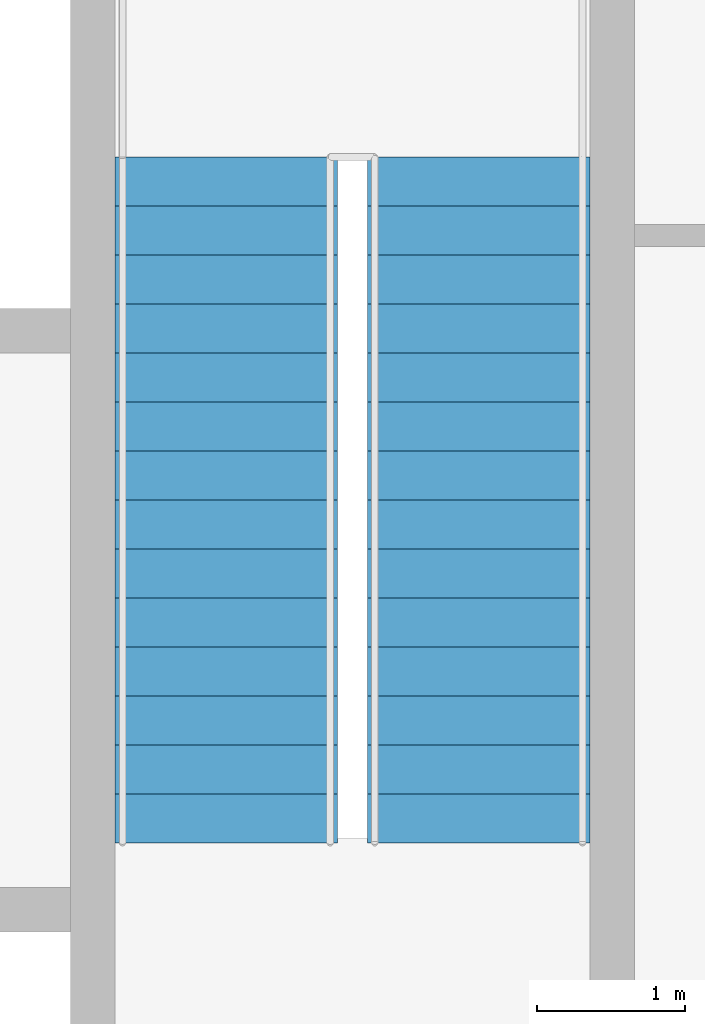
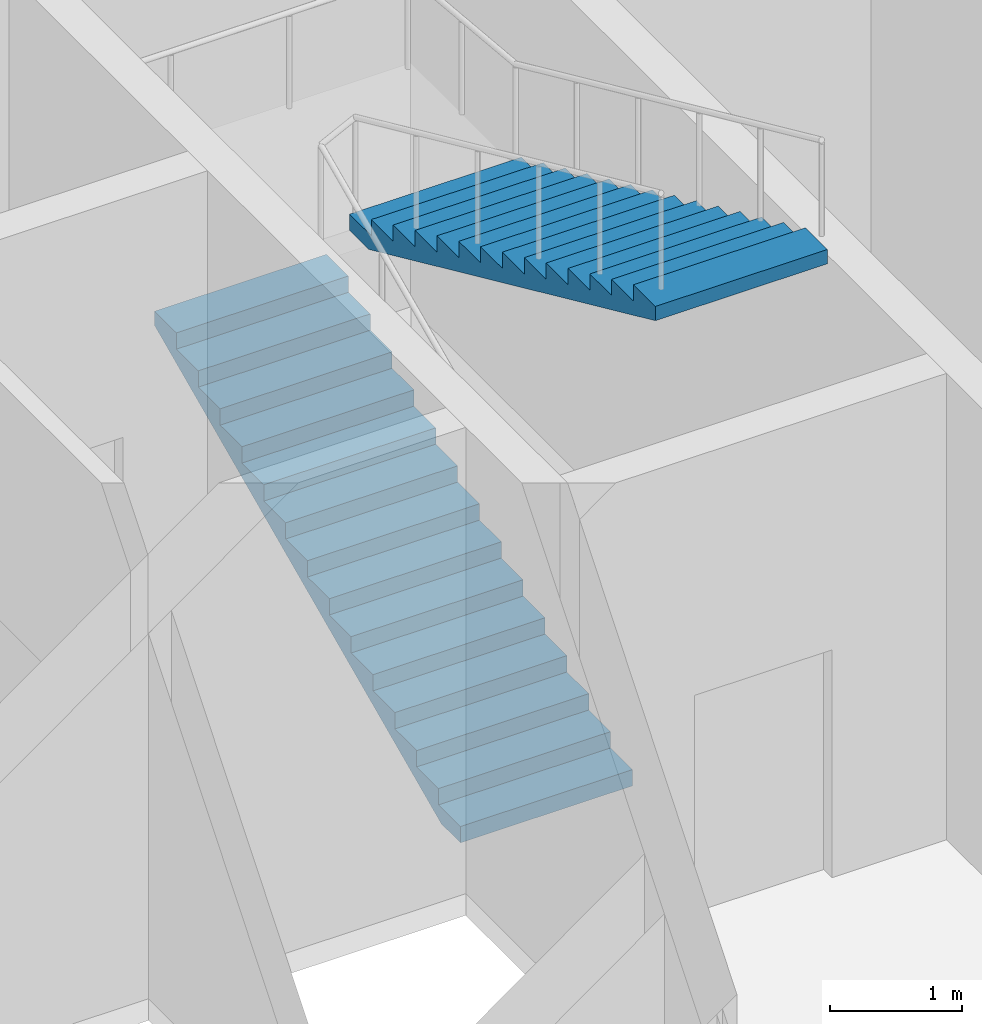
# One storey, part 9 of 10: 2 stair flights, 1 element without a shape of its own.
"""IFC4 building model written with IfcOpenShell, lengths in metres."""

from ifc_helpers import new_model, si_unit, direction, frame, origin, place, context, subcontext, project, spatial, polygons, material, type_object, element, aggregate, save


model = new_model("IFC4")

# Units and contexts
model_context = context("Model", 3, precision=1e-05, world=origin(), true_north=direction((0.0, 1.0)))
body_context = subcontext(model_context, "Body", "Model", "MODEL_VIEW")
ifc_project = project(units=[si_unit("LENGTHUNIT", "METRE"), si_unit("AREAUNIT", "SQUARE_METRE"), si_unit("VOLUMEUNIT", "CUBIC_METRE"), si_unit("PLANEANGLEUNIT", "RADIAN"), si_unit("MASSUNIT", "GRAM", prefix="KILO")], contexts=[model_context])

# Site, building, storey
site_placement = place(None, origin())
site = spatial("IfcSite", under=ifc_project, at=site_placement, CompositionType="ELEMENT")
building_placement = place(site_placement, origin())
building = spatial("IfcBuilding", under=site, at=building_placement, Name="Njiva Tower", CompositionType="ELEMENT")
storey_placement = place(building_placement, frame((0.0, 0.0, 51.3)))
storey = spatial("IfcBuildingStorey", under=building, at=storey_placement, Name="L10", CompositionType="ELEMENT", Elevation=51.3)

# Stair, stair flights
ifc_material = material(Name="Concrete C40/50", Category="concrete")
stair_type = type_object("IfcStairType", Name="ST4 Exit stair 1500", PredefinedType="HALF_TURN_STAIR", material=ifc_material)
stair_placement = place(storey_placement, origin())
stair = element("IfcStair", 1, at=stair_placement, inside=storey, type_object=stair_type, Name="Stair B", PredefinedType="HALF_TURN_STAIR")
stair_flight_type = type_object("IfcStairFlightType", Name="FL4 Stair flight 1500", PredefinedType="STRAIGHT", material=ifc_material)
stair_flight_1_placement = place(storey_placement, frame((11.75, 11.1, 0.0), z_axis=(0.0, 0.0, 1.0), x_axis=(0.0, 1.0, 0.0)))
stair_flight_1 = element("IfcStairFlight", 2, at=stair_flight_1_placement, type_object=stair_flight_type, Name="ST-B flight 1", NumberOfRisers=15, NumberOfTreads=14, PredefinedType="STRAIGHT", RiserHeight=0.15, TreadLength=0.33, context=body_context, shape_type="Tessellation", body=[
    polygons([(0.0, 0.75, 0.0), (0.0, 0.375, 0.0), (0.0, 0.0, 0.0), (0.0, -0.375, 0.0), (0.0, -0.75, 0.0), (0.0, 0.75, 0.15), (0.0, 0.375, 0.15), (0.0, 0.0, 0.15), (0.0, -0.375, 0.15), (0.0, -0.75, 0.15), (0.33, 0.75, 0.15), (0.33, 0.375, 0.15), (0.33, 0.0, 0.15), (0.33, -0.375, 0.15), (0.33, -0.75, 0.15), (0.33, 0.75, 0.3), (0.33, 0.375, 0.3), (0.33, 0.0, 0.3), (0.33, -0.375, 0.3), (0.33, -0.75, 0.3), (0.66, 0.75, 0.3), (0.66, 0.375, 0.3), (0.66, 0.0, 0.3), (0.66, -0.375, 0.3), (0.66, -0.75, 0.3), (0.66, 0.75, 0.45), (0.66, 0.375, 0.45), (0.66, 0.0, 0.45), (0.66, -0.375, 0.45), (0.66, -0.75, 0.45), (0.99, 0.75, 0.45), (0.99, 0.375, 0.45), (0.99, 0.0, 0.45), (0.99, -0.375, 0.45), (0.99, -0.75, 0.45), (0.99, 0.75, 0.6), (0.99, 0.375, 0.6), (0.99, 0.0, 0.6), (0.99, -0.375, 0.6), (0.99, -0.75, 0.6), (1.32, 0.75, 0.6), (1.32, 0.375, 0.6), (1.32, 0.0, 0.6), (1.32, -0.375, 0.6), (1.32, -0.75, 0.6), (1.32, 0.75, 0.75), (1.32, 0.375, 0.75), (1.32, 0.0, 0.75), (1.32, -0.375, 0.75), (1.32, -0.75, 0.75), (1.65, 0.75, 0.75), (1.65, 0.375, 0.75), (1.65, 0.0, 0.75), (1.65, -0.375, 0.75), (1.65, -0.75, 0.75), (1.65, 0.75, 0.9), (1.65, 0.375, 0.9), (1.65, 0.0, 0.9), (1.65, -0.375, 0.9), (1.65, -0.75, 0.9), (1.98, 0.75, 0.9), (1.98, 0.375, 0.9), (1.98, 0.0, 0.9), (1.98, -0.375, 0.9), (1.98, -0.75, 0.9), (1.98, 0.75, 1.05), (1.98, 0.375, 1.05), (1.98, 0.0, 1.05), (1.98, -0.375, 1.05), (1.98, -0.75, 1.05), (2.31, 0.75, 1.05), (2.31, 0.375, 1.05), (2.31, 0.0, 1.05), (2.31, -0.375, 1.05), (2.31, -0.75, 1.05), (2.31, 0.75, 1.2), (2.31, 0.375, 1.2), (2.31, 0.0, 1.2), (2.31, -0.375, 1.2), (2.31, -0.75, 1.2), (2.64, 0.75, 1.2), (2.64, 0.375, 1.2), (2.64, 0.0, 1.2), (2.64, -0.375, 1.2), (2.64, -0.75, 1.2), (2.64, 0.75, 1.35), (2.64, 0.375, 1.35), (2.64, 0.0, 1.35), (2.64, -0.375, 1.35), (2.64, -0.75, 1.35), (2.97, 0.75, 1.35), (2.97, 0.375, 1.35), (2.97, 0.0, 1.35), (2.97, -0.375, 1.35), (2.97, -0.75, 1.35), (2.97, 0.75, 1.5), (2.97, 0.375, 1.5), (2.97, 0.0, 1.5), (2.97, -0.375, 1.5), (2.97, -0.75, 1.5), (3.3, 0.75, 1.5), (3.3, 0.375, 1.5), (3.3, 0.0, 1.5), (3.3, -0.375, 1.5), (3.3, -0.75, 1.5), (3.3, 0.75, 1.65), (3.3, 0.375, 1.65), (3.3, 0.0, 1.65), (3.3, -0.375, 1.65), (3.3, -0.75, 1.65), (3.63, 0.75, 1.65), (3.63, 0.375, 1.65), (3.63, 0.0, 1.65), (3.63, -0.375, 1.65), (3.63, -0.75, 1.65), (3.63, 0.75, 1.8), (3.63, 0.375, 1.8), (3.63, 0.0, 1.8), (3.63, -0.375, 1.8), (3.63, -0.75, 1.8), (3.96, 0.75, 1.8), (3.96, 0.375, 1.8), (3.96, 0.0, 1.8), (3.96, -0.375, 1.8), (3.96, -0.75, 1.8), (3.96, 0.75, 1.95), (3.96, 0.375, 1.95), (3.96, 0.0, 1.95), (3.96, -0.375, 1.95), (3.96, -0.75, 1.95), (4.29, 0.75, 1.95), (4.29, 0.375, 1.95), (4.29, 0.0, 1.95), (4.29, -0.375, 1.95), (4.29, -0.75, 1.95), (4.29, 0.75, 2.1), (4.29, 0.375, 2.1), (4.29, 0.0, 2.1), (4.29, -0.375, 2.1), (4.29, -0.75, 2.1), (4.62, 0.75, 2.1), (4.62, 0.375, 2.1), (4.62, 0.0, 2.1), (4.62, -0.375, 2.1), (4.62, -0.75, 2.1), (4.62, 0.75, 1.9682), (4.62, 0.375, 1.9682), (4.62, 0.0, 1.9682), (4.62, -0.375, 1.9682), (4.62, -0.75, 1.9682), (0.29, 0.75, 0.0), (0.29, 0.375, 0.0), (0.29, 0.0, 0.0), (0.29, -0.375, 0.0), (0.29, -0.75, 0.0)], [[[1, 6, 11, 16, 21, 26, 31, 36, 41, 46, 51, 56, 61, 66, 71, 76, 81, 86, 91, 96, 101, 106, 111, 116, 121, 126, 131, 136, 141, 146, 151]], [[155, 150, 145, 140, 135, 130, 125, 120, 115, 110, 105, 100, 95, 90, 85, 80, 75, 70, 65, 60, 55, 50, 45, 40, 35, 30, 25, 20, 15, 10, 5]], [[6, 1, 2, 7]], [[7, 2, 3, 8]], [[8, 3, 4, 9]], [[9, 4, 5, 10]], [[11, 6, 7, 12]], [[12, 7, 8, 13]], [[13, 8, 9, 14]], [[14, 9, 10, 15]], [[16, 11, 12, 17]], [[17, 12, 13, 18]], [[18, 13, 14, 19]], [[19, 14, 15, 20]], [[21, 16, 17, 22]], [[22, 17, 18, 23]], [[23, 18, 19, 24]], [[24, 19, 20, 25]], [[26, 21, 22, 27]], [[27, 22, 23, 28]], [[28, 23, 24, 29]], [[29, 24, 25, 30]], [[31, 26, 27, 32]], [[32, 27, 28, 33]], [[33, 28, 29, 34]], [[34, 29, 30, 35]], [[36, 31, 32, 37]], [[37, 32, 33, 38]], [[38, 33, 34, 39]], [[39, 34, 35, 40]], [[41, 36, 37, 42]], [[42, 37, 38, 43]], [[43, 38, 39, 44]], [[44, 39, 40, 45]], [[46, 41, 42, 47]], [[47, 42, 43, 48]], [[48, 43, 44, 49]], [[49, 44, 45, 50]], [[51, 46, 47, 52]], [[52, 47, 48, 53]], [[53, 48, 49, 54]], [[54, 49, 50, 55]], [[56, 51, 52, 57]], [[57, 52, 53, 58]], [[58, 53, 54, 59]], [[59, 54, 55, 60]], [[61, 56, 57, 62]], [[62, 57, 58, 63]], [[63, 58, 59, 64]], [[64, 59, 60, 65]], [[66, 61, 62, 67]], [[67, 62, 63, 68]], [[68, 63, 64, 69]], [[69, 64, 65, 70]], [[71, 66, 67, 72]], [[72, 67, 68, 73]], [[73, 68, 69, 74]], [[74, 69, 70, 75]], [[76, 71, 72, 77]], [[77, 72, 73, 78]], [[78, 73, 74, 79]], [[79, 74, 75, 80]], [[81, 76, 77, 82]], [[82, 77, 78, 83]], [[83, 78, 79, 84]], [[84, 79, 80, 85]], [[86, 81, 82, 87]], [[87, 82, 83, 88]], [[88, 83, 84, 89]], [[89, 84, 85, 90]], [[91, 86, 87, 92]], [[92, 87, 88, 93]], [[93, 88, 89, 94]], [[94, 89, 90, 95]], [[96, 91, 92, 97]], [[97, 92, 93, 98]], [[98, 93, 94, 99]], [[99, 94, 95, 100]], [[101, 96, 97, 102]], [[102, 97, 98, 103]], [[103, 98, 99, 104]], [[104, 99, 100, 105]], [[106, 101, 102, 107]], [[107, 102, 103, 108]], [[108, 103, 104, 109]], [[109, 104, 105, 110]], [[111, 106, 107, 112]], [[112, 107, 108, 113]], [[113, 108, 109, 114]], [[114, 109, 110, 115]], [[116, 111, 112, 117]], [[117, 112, 113, 118]], [[118, 113, 114, 119]], [[119, 114, 115, 120]], [[121, 116, 117, 122]], [[122, 117, 118, 123]], [[123, 118, 119, 124]], [[124, 119, 120, 125]], [[126, 121, 122, 127]], [[127, 122, 123, 128]], [[128, 123, 124, 129]], [[129, 124, 125, 130]], [[131, 126, 127, 132]], [[132, 127, 128, 133]], [[133, 128, 129, 134]], [[134, 129, 130, 135]], [[136, 131, 132, 137]], [[137, 132, 133, 138]], [[138, 133, 134, 139]], [[139, 134, 135, 140]], [[141, 136, 137, 142]], [[142, 137, 138, 143]], [[143, 138, 139, 144]], [[144, 139, 140, 145]], [[146, 141, 142, 147]], [[147, 142, 143, 148]], [[148, 143, 144, 149]], [[149, 144, 145, 150]], [[151, 146, 147, 152]], [[152, 147, 148, 153]], [[153, 148, 149, 154]], [[154, 149, 150, 155]], [[1, 151, 152, 2]], [[2, 152, 153, 3]], [[3, 153, 154, 4]], [[4, 154, 155, 5]]], closed=True),
])
stair_flight_2_placement = place(storey_placement, frame((13.45, 15.72, 2.25), z_axis=(0.0, 0.0, 1.0), x_axis=(0.0, -1.0, 0.0)))
stair_flight_2 = element("IfcStairFlight", 3, at=stair_flight_2_placement, type_object=stair_flight_type, Name="ST-B flight 2", NumberOfRisers=15, NumberOfTreads=14, PredefinedType="STRAIGHT", RiserHeight=0.15, TreadLength=0.33, context=body_context, shape_type="Tessellation", body=[
    polygons([(0.0, 0.75, 0.0), (0.0, 0.375, 0.0), (0.0, 0.0, 0.0), (0.0, -0.375, 0.0), (0.0, -0.75, 0.0), (0.0, 0.75, 0.15), (0.0, 0.375, 0.15), (0.0, 0.0, 0.15), (0.0, -0.375, 0.15), (0.0, -0.75, 0.15), (0.33, 0.75, 0.15), (0.33, 0.375, 0.15), (0.33, 0.0, 0.15), (0.33, -0.375, 0.15), (0.33, -0.75, 0.15), (0.33, 0.75, 0.3), (0.33, 0.375, 0.3), (0.33, 0.0, 0.3), (0.33, -0.375, 0.3), (0.33, -0.75, 0.3), (0.66, 0.75, 0.3), (0.66, 0.375, 0.3), (0.66, 0.0, 0.3), (0.66, -0.375, 0.3), (0.66, -0.75, 0.3), (0.66, 0.75, 0.45), (0.66, 0.375, 0.45), (0.66, 0.0, 0.45), (0.66, -0.375, 0.45), (0.66, -0.75, 0.45), (0.99, 0.75, 0.45), (0.99, 0.375, 0.45), (0.99, 0.0, 0.45), (0.99, -0.375, 0.45), (0.99, -0.75, 0.45), (0.99, 0.75, 0.6), (0.99, 0.375, 0.6), (0.99, 0.0, 0.6), (0.99, -0.375, 0.6), (0.99, -0.75, 0.6), (1.32, 0.75, 0.6), (1.32, 0.375, 0.6), (1.32, 0.0, 0.6), (1.32, -0.375, 0.6), (1.32, -0.75, 0.6), (1.32, 0.75, 0.75), (1.32, 0.375, 0.75), (1.32, 0.0, 0.75), (1.32, -0.375, 0.75), (1.32, -0.75, 0.75), (1.65, 0.75, 0.75), (1.65, 0.375, 0.75), (1.65, 0.0, 0.75), (1.65, -0.375, 0.75), (1.65, -0.75, 0.75), (1.65, 0.75, 0.9), (1.65, 0.375, 0.9), (1.65, 0.0, 0.9), (1.65, -0.375, 0.9), (1.65, -0.75, 0.9), (1.98, 0.75, 0.9), (1.98, 0.375, 0.9), (1.98, 0.0, 0.9), (1.98, -0.375, 0.9), (1.98, -0.75, 0.9), (1.98, 0.75, 1.05), (1.98, 0.375, 1.05), (1.98, 0.0, 1.05), (1.98, -0.375, 1.05), (1.98, -0.75, 1.05), (2.31, 0.75, 1.05), (2.31, 0.375, 1.05), (2.31, 0.0, 1.05), (2.31, -0.375, 1.05), (2.31, -0.75, 1.05), (2.31, 0.75, 1.2), (2.31, 0.375, 1.2), (2.31, 0.0, 1.2), (2.31, -0.375, 1.2), (2.31, -0.75, 1.2), (2.64, 0.75, 1.2), (2.64, 0.375, 1.2), (2.64, 0.0, 1.2), (2.64, -0.375, 1.2), (2.64, -0.75, 1.2), (2.64, 0.75, 1.35), (2.64, 0.375, 1.35), (2.64, 0.0, 1.35), (2.64, -0.375, 1.35), (2.64, -0.75, 1.35), (2.97, 0.75, 1.35), (2.97, 0.375, 1.35), (2.97, 0.0, 1.35), (2.97, -0.375, 1.35), (2.97, -0.75, 1.35), (2.97, 0.75, 1.5), (2.97, 0.375, 1.5), (2.97, 0.0, 1.5), (2.97, -0.375, 1.5), (2.97, -0.75, 1.5), (3.3, 0.75, 1.5), (3.3, 0.375, 1.5), (3.3, 0.0, 1.5), (3.3, -0.375, 1.5), (3.3, -0.75, 1.5), (3.3, 0.75, 1.65), (3.3, 0.375, 1.65), (3.3, 0.0, 1.65), (3.3, -0.375, 1.65), (3.3, -0.75, 1.65), (3.63, 0.75, 1.65), (3.63, 0.375, 1.65), (3.63, 0.0, 1.65), (3.63, -0.375, 1.65), (3.63, -0.75, 1.65), (3.63, 0.75, 1.8), (3.63, 0.375, 1.8), (3.63, 0.0, 1.8), (3.63, -0.375, 1.8), (3.63, -0.75, 1.8), (3.96, 0.75, 1.8), (3.96, 0.375, 1.8), (3.96, 0.0, 1.8), (3.96, -0.375, 1.8), (3.96, -0.75, 1.8), (3.96, 0.75, 1.95), (3.96, 0.375, 1.95), (3.96, 0.0, 1.95), (3.96, -0.375, 1.95), (3.96, -0.75, 1.95), (4.29, 0.75, 1.95), (4.29, 0.375, 1.95), (4.29, 0.0, 1.95), (4.29, -0.375, 1.95), (4.29, -0.75, 1.95), (4.29, 0.75, 2.1), (4.29, 0.375, 2.1), (4.29, 0.0, 2.1), (4.29, -0.375, 2.1), (4.29, -0.75, 2.1), (4.62, 0.75, 2.1), (4.62, 0.375, 2.1), (4.62, 0.0, 2.1), (4.62, -0.375, 2.1), (4.62, -0.75, 2.1), (4.62, 0.75, 1.9682), (4.62, 0.375, 1.9682), (4.62, 0.0, 1.9682), (4.62, -0.375, 1.9682), (4.62, -0.75, 1.9682), (0.29, 0.75, 0.0), (0.29, 0.375, 0.0), (0.29, 0.0, 0.0), (0.29, -0.375, 0.0), (0.29, -0.75, 0.0)], [[[1, 6, 11, 16, 21, 26, 31, 36, 41, 46, 51, 56, 61, 66, 71, 76, 81, 86, 91, 96, 101, 106, 111, 116, 121, 126, 131, 136, 141, 146, 151]], [[155, 150, 145, 140, 135, 130, 125, 120, 115, 110, 105, 100, 95, 90, 85, 80, 75, 70, 65, 60, 55, 50, 45, 40, 35, 30, 25, 20, 15, 10, 5]], [[6, 1, 2, 7]], [[7, 2, 3, 8]], [[8, 3, 4, 9]], [[9, 4, 5, 10]], [[11, 6, 7, 12]], [[12, 7, 8, 13]], [[13, 8, 9, 14]], [[14, 9, 10, 15]], [[16, 11, 12, 17]], [[17, 12, 13, 18]], [[18, 13, 14, 19]], [[19, 14, 15, 20]], [[21, 16, 17, 22]], [[22, 17, 18, 23]], [[23, 18, 19, 24]], [[24, 19, 20, 25]], [[26, 21, 22, 27]], [[27, 22, 23, 28]], [[28, 23, 24, 29]], [[29, 24, 25, 30]], [[31, 26, 27, 32]], [[32, 27, 28, 33]], [[33, 28, 29, 34]], [[34, 29, 30, 35]], [[36, 31, 32, 37]], [[37, 32, 33, 38]], [[38, 33, 34, 39]], [[39, 34, 35, 40]], [[41, 36, 37, 42]], [[42, 37, 38, 43]], [[43, 38, 39, 44]], [[44, 39, 40, 45]], [[46, 41, 42, 47]], [[47, 42, 43, 48]], [[48, 43, 44, 49]], [[49, 44, 45, 50]], [[51, 46, 47, 52]], [[52, 47, 48, 53]], [[53, 48, 49, 54]], [[54, 49, 50, 55]], [[56, 51, 52, 57]], [[57, 52, 53, 58]], [[58, 53, 54, 59]], [[59, 54, 55, 60]], [[61, 56, 57, 62]], [[62, 57, 58, 63]], [[63, 58, 59, 64]], [[64, 59, 60, 65]], [[66, 61, 62, 67]], [[67, 62, 63, 68]], [[68, 63, 64, 69]], [[69, 64, 65, 70]], [[71, 66, 67, 72]], [[72, 67, 68, 73]], [[73, 68, 69, 74]], [[74, 69, 70, 75]], [[76, 71, 72, 77]], [[77, 72, 73, 78]], [[78, 73, 74, 79]], [[79, 74, 75, 80]], [[81, 76, 77, 82]], [[82, 77, 78, 83]], [[83, 78, 79, 84]], [[84, 79, 80, 85]], [[86, 81, 82, 87]], [[87, 82, 83, 88]], [[88, 83, 84, 89]], [[89, 84, 85, 90]], [[91, 86, 87, 92]], [[92, 87, 88, 93]], [[93, 88, 89, 94]], [[94, 89, 90, 95]], [[96, 91, 92, 97]], [[97, 92, 93, 98]], [[98, 93, 94, 99]], [[99, 94, 95, 100]], [[101, 96, 97, 102]], [[102, 97, 98, 103]], [[103, 98, 99, 104]], [[104, 99, 100, 105]], [[106, 101, 102, 107]], [[107, 102, 103, 108]], [[108, 103, 104, 109]], [[109, 104, 105, 110]], [[111, 106, 107, 112]], [[112, 107, 108, 113]], [[113, 108, 109, 114]], [[114, 109, 110, 115]], [[116, 111, 112, 117]], [[117, 112, 113, 118]], [[118, 113, 114, 119]], [[119, 114, 115, 120]], [[121, 116, 117, 122]], [[122, 117, 118, 123]], [[123, 118, 119, 124]], [[124, 119, 120, 125]], [[126, 121, 122, 127]], [[127, 122, 123, 128]], [[128, 123, 124, 129]], [[129, 124, 125, 130]], [[131, 126, 127, 132]], [[132, 127, 128, 133]], [[133, 128, 129, 134]], [[134, 129, 130, 135]], [[136, 131, 132, 137]], [[137, 132, 133, 138]], [[138, 133, 134, 139]], [[139, 134, 135, 140]], [[141, 136, 137, 142]], [[142, 137, 138, 143]], [[143, 138, 139, 144]], [[144, 139, 140, 145]], [[146, 141, 142, 147]], [[147, 142, 143, 148]], [[148, 143, 144, 149]], [[149, 144, 145, 150]], [[151, 146, 147, 152]], [[152, 147, 148, 153]], [[153, 148, 149, 154]], [[154, 149, 150, 155]], [[1, 151, 152, 2]], [[2, 152, 153, 3]], [[3, 153, 154, 4]], [[4, 154, 155, 5]]], closed=True),
])
aggregate(stair, [stair_flight_1, stair_flight_2])

save(model, "model.ifc")
